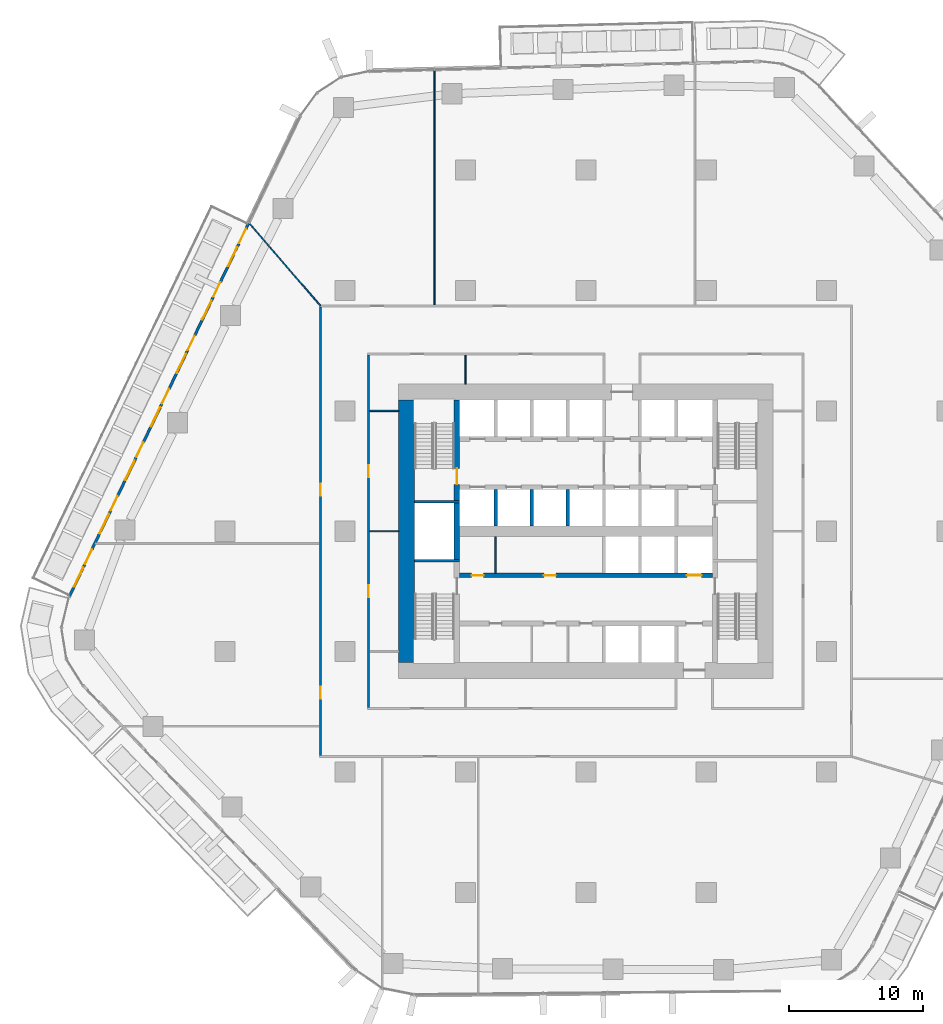
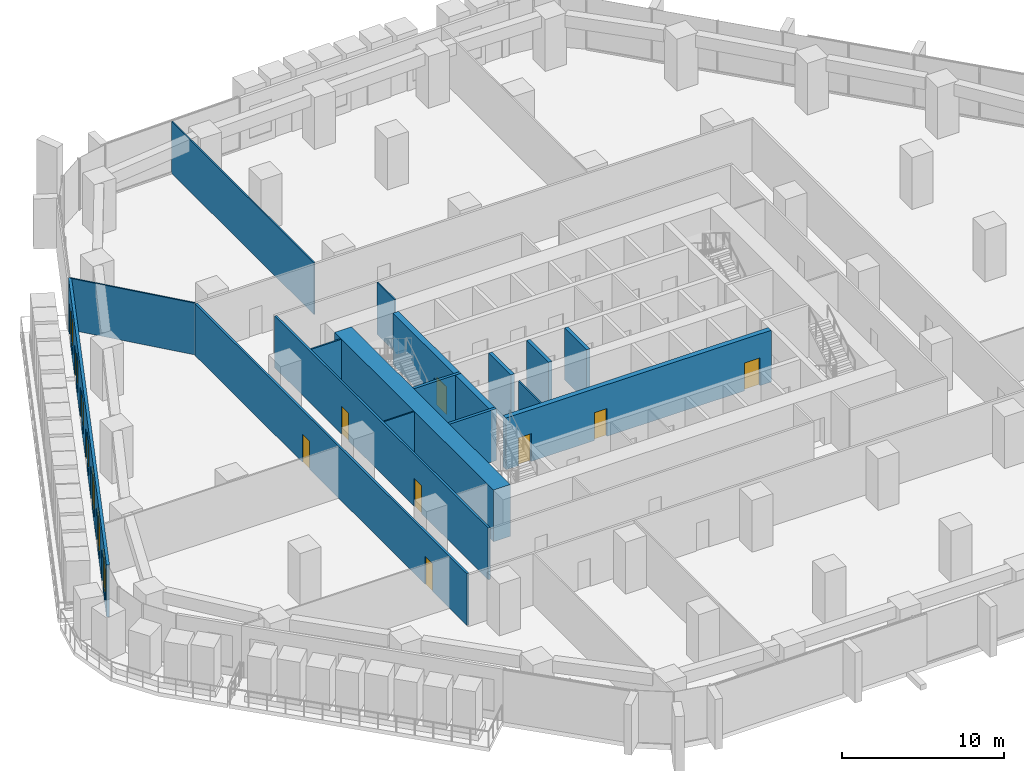
# One storey, part 13 of 23: 18 walls, 15 doors, 7 windows, 22 openings.
"""IFC4 building model written with IfcOpenShell, lengths in metres."""

from ifc_helpers import new_model, si_unit, direction, frame, frame_2d, origin, place, context, subcontext, project, spatial, rectangle, extrude, material, layer, layer_set, type_object, element, fill, save


model = new_model("IFC4")

# Units and contexts
model_context = context("Model", 3, precision=1e-05, world=origin(), true_north=direction((0.0, 1.0)))
body_context = subcontext(model_context, "Body", "Model", "MODEL_VIEW")
ifc_project = project(units=[si_unit("LENGTHUNIT", "METRE"), si_unit("AREAUNIT", "SQUARE_METRE"), si_unit("VOLUMEUNIT", "CUBIC_METRE"), si_unit("PLANEANGLEUNIT", "RADIAN"), si_unit("MASSUNIT", "GRAM", prefix="KILO")], contexts=[model_context])

# Site, building, storey
site_placement = place(None, origin())
site = spatial("IfcSite", under=ifc_project, at=site_placement, CompositionType="ELEMENT")
building_placement = place(site_placement, origin())
building = spatial("IfcBuilding", under=site, at=building_placement, Name="Dongbaek Canopy Tower", CompositionType="ELEMENT")
storey_placement = place(building_placement, frame((0.0, 0.0, 84.699951171875)))
storey = spatial("IfcBuildingStorey", under=building, at=storey_placement, Name="L17", CompositionType="ELEMENT", Elevation=84.699951171875)

# Wall, openings, doors
ifc_material_1 = material(Name="Concrete C60/75", Category="concrete")
ifc_layer_1 = layer(ifc_material_1, 0.35009765625)
ifc_layer_set_1 = layer_set([ifc_layer_1], Name="Core lobby wall 350 Concrete C60/75")
wall_type_1 = type_object("IfcWallType", Name="Core lobby wall 350 Concrete C60/75", PredefinedType="SHEAR", material=ifc_layer_set_1)
wall_1_placement = place(storey_placement, frame((-9.449951171875, -3.300048828125, 0.0), z_axis=(0.0, 0.0, 1.0), x_axis=(1.0, 0.0, 0.0)))
wall_1 = element("IfcWall", 1, at=wall_1_placement, inside=storey, type_object=wall_type_1, Name="Core wall", PredefinedType="SHEAR", context=body_context, shape_type="SweptSolid", body=[
    extrude(rectangle(XDim=18.89990234375, YDim=0.35009765625, at=frame_2d((9.449951171875, 0.0))), origin(), (0.0, 0.0, 1.0), 3.900146484375),
])
opening_1_placement = place(wall_1_placement, frame((17.0, 0.0, 0.0)))
opening_1 = element("IfcOpeningElement", 2, at=opening_1_placement, cuts=wall_1, Name="Opening L17-D034", PredefinedType="OPENING", context=body_context, shape_type="SweptSolid", body=[
    extrude(rectangle(XDim=1.10009765625, YDim=2.10009765625, at=frame_2d((0.550048828125, 1.050048828125))), frame((0.0, 0.18505859375, 0.0), z_axis=(0.0, -1.0, 0.0), x_axis=(1.0, 0.0, 0.0)), (0.0, 0.0, 1.0), 0.3701171875),
])
opening_2_placement = place(wall_1_placement, frame((0.89990234375, 0.0, 0.0)))
opening_2 = element("IfcOpeningElement", 3, at=opening_2_placement, cuts=wall_1, Name="Opening L17-D037", PredefinedType="OPENING", context=body_context, shape_type="SweptSolid", body=[
    extrude(rectangle(XDim=0.89990234375, YDim=2.10009765625, at=frame_2d((0.449951171875, 1.050048828125))), frame((0.0, 0.18505859375, 0.0), z_axis=(0.0, -1.0, 0.0), x_axis=(1.0, 0.0, 0.0)), (0.0, 0.0, 1.0), 0.3701171875),
])
opening_3_placement = place(wall_1_placement, frame((6.300048828125, 0.0, 0.0)))
opening_3 = element("IfcOpeningElement", 4, at=opening_3_placement, cuts=wall_1, Name="Opening L17-D038", PredefinedType="OPENING", context=body_context, shape_type="SweptSolid", body=[
    extrude(rectangle(XDim=0.89990234375, YDim=2.10009765625, at=frame_2d((0.449951171875, 1.050048828125))), frame((0.0, 0.18505859375, 0.0), z_axis=(0.0, -1.0, 0.0), x_axis=(1.0, 0.0, 0.0)), (0.0, 0.0, 1.0), 0.3701171875),
])
ifc_material_2 = material(Name="Steel", Category="steel")
door_type_1 = type_object("IfcDoorType", Name="Core room door 900 x 2100", OperationType="SINGLE_SWING_LEFT", PredefinedType="DOOR", material=ifc_material_2)
door_1_placement = place(opening_2_placement, origin())
door_1 = element("IfcDoor", 5, at=door_1_placement, inside=storey, type_object=door_type_1, Name="Door L17-D037", OperationType="SINGLE_SWING_RIGHT", OverallHeight=2.10009765625, OverallWidth=0.89990234375, PredefinedType="DOOR", context=body_context, shape_type="SweptSolid", body=[
    extrude(rectangle(XDim=0.89990234375, YDim=2.10009765625, at=frame_2d((0.449951171875, 1.050048828125))), frame((0.0, 0.02490234375, 0.0), z_axis=(0.0, -1.0, 0.0), x_axis=(1.0, 0.0, 0.0)), (0.0, 0.0, 1.0), 0.050048828125),
])
fill(opening_2, door_1)
door_2_placement = place(opening_3_placement, origin())
door_2 = element("IfcDoor", 6, at=door_2_placement, inside=storey, type_object=door_type_1, Name="Door L17-D038", OperationType="SINGLE_SWING_LEFT", OverallHeight=2.10009765625, OverallWidth=0.89990234375, PredefinedType="DOOR", context=body_context, shape_type="SweptSolid", body=[
    extrude(rectangle(XDim=0.89990234375, YDim=2.10009765625, at=frame_2d((0.449951171875, 1.050048828125))), frame((0.0, 0.02490234375, 0.0), z_axis=(0.0, -1.0, 0.0), x_axis=(1.0, 0.0, 0.0)), (0.0, 0.0, 1.0), 0.050048828125),
])
fill(opening_3, door_2)
ifc_material_3 = material(Name="Stainless steel", Category="steel")
door_type_2 = type_object("IfcDoorType", Name="Lift landing door 1100 x 2100", OperationType="DOUBLE_DOOR_SLIDING", PredefinedType="DOOR", material=ifc_material_3)
door_3_placement = place(opening_1_placement, origin())
door_3 = element("IfcDoor", 7, at=door_3_placement, inside=storey, type_object=door_type_2, Name="Landing door SV2", OperationType="DOUBLE_DOOR_SLIDING", OverallHeight=2.10009765625, OverallWidth=1.10009765625, PredefinedType="DOOR", context=body_context, shape_type="SweptSolid", body=[
    extrude(rectangle(XDim=1.10009765625, YDim=2.10009765625, at=frame_2d((0.550048828125, 1.050048828125))), frame((0.0, 0.02490234375, 0.0), z_axis=(0.0, -1.0, 0.0), x_axis=(1.0, 0.0, 0.0)), (0.0, 0.0, 1.0), 0.050048828125),
])
fill(opening_1, door_3)

# Wall
ifc_material_4 = material(Name="Concrete C60/75", Category="concrete")
ifc_layer_2 = layer(ifc_material_4, 1.199951171875)
ifc_layer_set_2 = layer_set([ifc_layer_2], Name="Core outer wall 1200 Concrete C60/75")
wall_type_2 = type_object("IfcWallType", Name="Core outer wall 1200 Concrete C60/75", PredefinedType="SHEAR", material=ifc_layer_set_2)
wall_2_placement = place(storey_placement, frame((-13.39990234375, -9.800048828125, 0.0), z_axis=(0.0, 0.0, 1.0), x_axis=(0.0, 1.0, 0.0)))
element("IfcWall", 8, at=wall_2_placement, inside=storey, type_object=wall_type_2, Name="Core wall", PredefinedType="SHEAR", context=body_context, shape_type="SweptSolid", body=[
    extrude(rectangle(XDim=19.60009765625, YDim=1.199951171875, at=frame_2d((9.800048828125, 0.0))), origin(), (0.0, 0.0, 1.0), 3.900146484375),
])

# Wall, openings, doors
ifc_material_5 = material(Name="Gypsum board partition, steel stud, 2 x 15 mm fire board", Category="steel")
ifc_layer_3 = layer(ifc_material_5, 0.14990234375)
ifc_layer_set_3 = layer_set([ifc_layer_3], Name="Fire-rated partition 150 gypsum board")
wall_type_3 = type_object("IfcWallType", Name="Fire-rated partition 150 gypsum board", PredefinedType="PARTITIONING", material=ifc_layer_set_3)
wall_3_placement = place(storey_placement, frame((-16.25, 13.175048828125, 0.0), z_axis=(0.0, 0.0, 1.0), x_axis=(0.0, -1.0, 0.0)))
wall_3 = element("IfcWall", 9, at=wall_3_placement, inside=storey, type_object=wall_type_3, Name="Corridor partition", PredefinedType="PARTITIONING", context=body_context, shape_type="SweptSolid", body=[
    extrude(rectangle(XDim=26.35009765625, YDim=0.14990234375, at=frame_2d((13.175048828125, 0.0))), origin(), (0.0, 0.0, 1.0), 3.900146484375),
])
opening_4_placement = place(wall_3_placement, frame((17.22509765625, 0.0, 0.0)))
opening_4 = element("IfcOpeningElement", 10, at=opening_4_placement, cuts=wall_3, Name="Opening L17-D009", PredefinedType="OPENING", context=body_context, shape_type="SweptSolid", body=[
    extrude(rectangle(XDim=0.89990234375, YDim=2.10009765625, at=frame_2d((0.449951171875, 1.050048828125))), frame((0.0, 0.0849609375, 0.0), z_axis=(0.0, -1.0, 0.0), x_axis=(1.0, 0.0, 0.0)), (0.0, 0.0, 1.0), 0.169921875),
])
opening_5_placement = place(wall_3_placement, frame((8.22509765625, 0.0, 0.0)))
opening_5 = element("IfcOpeningElement", 11, at=opening_5_placement, cuts=wall_3, Name="Opening L17-D017", PredefinedType="OPENING", context=body_context, shape_type="SweptSolid", body=[
    extrude(rectangle(XDim=0.89990234375, YDim=2.10009765625, at=frame_2d((0.449951171875, 1.050048828125))), frame((0.0, 0.0849609375, 0.0), z_axis=(0.0, -1.0, 0.0), x_axis=(1.0, 0.0, 0.0)), (0.0, 0.0, 1.0), 0.169921875),
])
ifc_material_6 = material(Name="Timber veneered door leaf", Category="wood")
door_type_3 = type_object("IfcDoorType", Name="Room door 900 x 2100", OperationType="SINGLE_SWING_LEFT", PredefinedType="DOOR", material=ifc_material_6)
door_4_placement = place(opening_4_placement, origin())
door_4 = element("IfcDoor", 12, at=door_4_placement, inside=storey, type_object=door_type_3, Name="Door L17-D009", OperationType="SINGLE_SWING_LEFT", OverallHeight=2.10009765625, OverallWidth=0.89990234375, PredefinedType="DOOR", context=body_context, shape_type="SweptSolid", body=[
    extrude(rectangle(XDim=0.89990234375, YDim=2.10009765625, at=frame_2d((0.449951171875, 1.050048828125))), frame((0.0, 0.02490234375, 0.0), z_axis=(0.0, -1.0, 0.0), x_axis=(1.0, 0.0, 0.0)), (0.0, 0.0, 1.0), 0.050048828125),
])
fill(opening_4, door_4)
door_5_placement = place(opening_5_placement, origin())
door_5 = element("IfcDoor", 13, at=door_5_placement, inside=storey, type_object=door_type_3, Name="Door L17-D017", OperationType="SINGLE_SWING_LEFT", OverallHeight=2.10009765625, OverallWidth=0.89990234375, PredefinedType="DOOR", context=body_context, shape_type="SweptSolid", body=[
    extrude(rectangle(XDim=0.89990234375, YDim=2.10009765625, at=frame_2d((0.449951171875, 1.050048828125))), frame((0.0, 0.02490234375, 0.0), z_axis=(0.0, -1.0, 0.0), x_axis=(1.0, 0.0, 0.0)), (0.0, 0.0, 1.0), 0.050048828125),
])
fill(opening_5, door_5)

wall_4_placement = place(storey_placement, frame((-19.85009765625, -16.77490234375, 0.0), z_axis=(0.0, 0.0, 1.0), x_axis=(0.0, 1.0, 0.0)))
wall_4 = element("IfcWall", 14, at=wall_4_placement, inside=storey, type_object=wall_type_3, Name="Corridor partition", PredefinedType="PARTITIONING", context=body_context, shape_type="SweptSolid", body=[
    extrude(rectangle(XDim=33.5498046875, YDim=0.14990234375, at=frame_2d((16.77490234375, 0.0))), origin(), (0.0, 0.0, 1.0), 3.900146484375),
])
opening_6_placement = place(wall_4_placement, frame((4.231689453125, 0.0, 0.0)))
opening_6 = element("IfcOpeningElement", 15, at=opening_6_placement, cuts=wall_4, Name="Opening L17-D001", PredefinedType="OPENING", context=body_context, shape_type="SweptSolid", body=[
    extrude(rectangle(XDim=0.89990234375, YDim=2.10009765625, at=frame_2d((0.449951171875, 1.050048828125))), frame((0.0, 0.0849609375, 0.0), z_axis=(0.0, -1.0, 0.0), x_axis=(1.0, 0.0, 0.0)), (0.0, 0.0, 1.0), 0.169921875),
])
opening_7_placement = place(wall_4_placement, frame((19.4130859375, 0.0, 0.0)))
opening_7 = element("IfcOpeningElement", 16, at=opening_7_placement, cuts=wall_4, Name="Opening L17-D008", PredefinedType="OPENING", context=body_context, shape_type="SweptSolid", body=[
    extrude(rectangle(XDim=0.89990234375, YDim=2.10009765625, at=frame_2d((0.449951171875, 1.050048828125))), frame((0.0, 0.0849609375, 0.0), z_axis=(0.0, -1.0, 0.0), x_axis=(1.0, 0.0, 0.0)), (0.0, 0.0, 1.0), 0.169921875),
])
door_6_placement = place(opening_6_placement, origin())
door_6 = element("IfcDoor", 17, at=door_6_placement, inside=storey, type_object=door_type_3, Name="Door L17-D001", OperationType="SINGLE_SWING_RIGHT", OverallHeight=2.10009765625, OverallWidth=0.89990234375, PredefinedType="DOOR", context=body_context, shape_type="SweptSolid", body=[
    extrude(rectangle(XDim=0.89990234375, YDim=2.10009765625, at=frame_2d((0.449951171875, 1.050048828125))), frame((0.0, 0.02490234375, 0.0), z_axis=(0.0, -1.0, 0.0), x_axis=(1.0, 0.0, 0.0)), (0.0, 0.0, 1.0), 0.050048828125),
])
fill(opening_6, door_6)
door_7_placement = place(opening_7_placement, origin())
door_7 = element("IfcDoor", 18, at=door_7_placement, inside=storey, type_object=door_type_3, Name="Door L17-D008", OperationType="SINGLE_SWING_RIGHT", OverallHeight=2.10009765625, OverallWidth=0.89990234375, PredefinedType="DOOR", context=body_context, shape_type="SweptSolid", body=[
    extrude(rectangle(XDim=0.89990234375, YDim=2.10009765625, at=frame_2d((0.449951171875, 1.050048828125))), frame((0.0, 0.02490234375, 0.0), z_axis=(0.0, -1.0, 0.0), x_axis=(1.0, 0.0, 0.0)), (0.0, 0.0, 1.0), 0.050048828125),
])
fill(opening_7, door_7)

# Walls
ifc_material_7 = material(Name="Concrete C40/50", Category="concrete")
ifc_layer_4 = layer(ifc_material_7, 0.25)
ifc_layer_set_4 = layer_set([ifc_layer_4], Name="Lift shaft wall 250 Concrete C40/50")
wall_type_4 = type_object("IfcWallType", Name="Lift shaft wall 250 Concrete C40/50", PredefinedType="SOLIDWALL", material=ifc_layer_set_4)
for number, where, z_axis, x_axis, name in (
    (19, (-1.35009765625, 0.39990234375, 0.0), (0.0, 0.0, 1.0), (0.0, 1.0, 0.0), "Lift shaft wall"),
    (20, (-4.050048828125, 0.39990234375, 0.0), (0.0, 0.0, 1.0), (0.0, 1.0, 0.0), "Lift shaft wall"),
    (21, (-6.75, 0.39990234375, 0.0), (0.0, 0.0, 1.0), (0.0, 1.0, 0.0), "Lift shaft wall"),
):
    element("IfcWall", number, at=place(storey_placement, frame(where, z_axis=z_axis, x_axis=x_axis)), inside=storey, type_object=wall_type_4, Name=name, PredefinedType="SOLIDWALL", context=body_context, shape_type="SweptSolid", body=[
        extrude(rectangle(XDim=2.72509765625, YDim=0.25, at=frame_2d((1.362548828125, 0.0))), origin(), (0.0, 0.0, 1.0), 3.900146484375),
    ])
ifc_material_8 = material(Name="Gypsum board partition, steel stud, 2 x 12.5 mm board", Category="steel")
ifc_layer_5 = layer(ifc_material_8, 0.10009765625)
ifc_layer_set_5 = layer_set([ifc_layer_5], Name="Partition 100 gypsum board")
wall_type_5 = type_object("IfcWallType", Name="Partition 100 gypsum board", PredefinedType="PARTITIONING", material=ifc_layer_set_5)
for number, where, z_axis, x_axis, name in (
    (22, (-16.175048828125, 0.0, 0.0), (0.0, 0.0, 1.0), (1.0, 0.0, 0.0), "Partition"),
    (23, (-16.175048828125, 9.0, 0.0), (0.0, 0.0, 1.0), (1.0, 0.0, 0.0), "Partition"),
    (24, (-9.0, 11.0, 0.0), (0.0, 0.0, 1.0), (0.0, 1.0, 0.0), "Partition"),
):
    element("IfcWall", number, at=place(storey_placement, frame(where, z_axis=z_axis, x_axis=x_axis)), inside=storey, type_object=wall_type_5, Name=name, PredefinedType="PARTITIONING", context=body_context, shape_type="SweptSolid", body=[
        extrude(rectangle(XDim=2.175048828125, YDim=0.10009765625, at=frame_2d((1.08740234375, 0.0))), origin(), (0.0, 0.0, 1.0), 3.900146484375),
    ])
wall_5_placement = place(storey_placement, frame((-11.324951171875, 16.925048828125, 0.0), z_axis=(0.0, 0.0, 1.0), x_axis=(0.0, 1.0, 0.0)))
element("IfcWall", 25, at=wall_5_placement, inside=storey, type_object=wall_type_5, Name="Partition", PredefinedType="PARTITIONING", context=body_context, shape_type="SweptSolid", body=[
    extrude(rectangle(XDim=17.574951171875, YDim=0.10009765625, at=frame_2d((8.78759765625, 0.0))), origin(), (0.0, 0.0, 1.0), 3.900146484375),
])
wall_6_placement = place(storey_placement, frame((-25.18896484375, 23.045654296875, 0.0), z_axis=(0.0, 0.0, 1.0), x_axis=(0.652758316805, -0.757566221424, 0.0)))
element("IfcWall", 26, at=wall_6_placement, inside=storey, type_object=wall_type_5, Name="Partition", PredefinedType="PARTITIONING", context=body_context, shape_type="SweptSolid", body=[
    extrude(rectangle(XDim=8.178466796875, YDim=0.10009765625, at=frame_2d((4.08935546875, 0.0))), origin(), (0.0, 0.0, 1.0), 3.900146484375),
])
wall_7_placement = place(storey_placement, frame((-6.75, -3.125, 0.0), z_axis=(0.0, 0.0, 1.0), x_axis=(0.0, 1.0, 0.0)))
element("IfcWall", 27, at=wall_7_placement, inside=storey, type_object=wall_type_5, Name="Core partition", PredefinedType="PARTITIONING", context=body_context, shape_type="SweptSolid", body=[
    extrude(rectangle(XDim=2.72509765625, YDim=0.10009765625, at=frame_2d((1.362548828125, 0.0))), origin(), (0.0, 0.0, 1.0), 3.900146484375),
])
ifc_material_9 = material(Name="Concrete C60/75", Category="concrete")
ifc_layer_6 = layer(ifc_material_9, 0.199951171875)
ifc_layer_set_6 = layer_set([ifc_layer_6], Name="Riser wall 200 Concrete C60/75")
wall_type_6 = type_object("IfcWallType", Name="Riser wall 200 Concrete C60/75", PredefinedType="SHEAR", material=ifc_layer_set_6)
for number, where, z_axis, x_axis, name in (
    (28, (-9.449951171875, 2.199951171875, 0.0), (0.0, 0.0, 1.0), (-1.0, 0.0, 0.0), "Riser wall"),
    (29, (-9.449951171875, -2.199951171875, 0.0), (0.0, 0.0, 1.0), (-1.0, 0.0, 0.0), "Riser wall"),
):
    element("IfcWall", number, at=place(storey_placement, frame(where, z_axis=z_axis, x_axis=x_axis)), inside=storey, type_object=wall_type_6, Name=name, PredefinedType="SHEAR", context=body_context, shape_type="SweptSolid", body=[
        extrude(rectangle(XDim=3.35009765625, YDim=0.199951171875, at=frame_2d((1.675048828125, 0.0))), origin(), (0.0, 0.0, 1.0), 3.900146484375),
    ])
ifc_material_10 = material(Name="Concrete C60/75", Category="concrete")
ifc_layer_7 = layer(ifc_material_10, 0.39990234375)
ifc_layer_set_7 = layer_set([ifc_layer_7], Name="Stair wall 400 Concrete C60/75")
wall_type_7 = type_object("IfcWallType", Name="Stair wall 400 Concrete C60/75", PredefinedType="SHEAR", material=ifc_layer_set_7)
wall_8_placement = place(storey_placement, frame((-9.64990234375, -2.10009765625, 0.0), z_axis=(0.0, 0.0, 1.0), x_axis=(0.0, 1.0, 0.0)))
element("IfcWall", 30, at=wall_8_placement, inside=storey, type_object=wall_type_7, Name="Stair wall", PredefinedType="SHEAR", context=body_context, shape_type="SweptSolid", body=[
    extrude(rectangle(XDim=4.2001953125, YDim=0.39990234375, at=frame_2d((2.10009765625, 0.0))), origin(), (0.0, 0.0, 1.0), 3.900146484375),
])

# Wall, opening, door
wall_9_placement = place(storey_placement, frame((-9.64990234375, 2.300048828125, 0.0), z_axis=(0.0, 0.0, 1.0), x_axis=(0.0, 1.0, 0.0)))
wall_9 = element("IfcWall", 31, at=wall_9_placement, inside=storey, type_object=wall_type_7, Name="Stair wall", PredefinedType="SHEAR", context=body_context, shape_type="SweptSolid", body=[
    extrude(rectangle(XDim=7.5, YDim=0.39990234375, at=frame_2d((3.75, 0.0))), origin(), (0.0, 0.0, 1.0), 3.900146484375),
])
opening_8_placement = place(wall_9_placement, frame((1.199951171875, 0.0, 0.0)))
opening_8 = element("IfcOpeningElement", 32, at=opening_8_placement, cuts=wall_9, Name="Opening L17-D043", PredefinedType="OPENING", context=body_context, shape_type="SweptSolid", body=[
    extrude(rectangle(XDim=1.199951171875, YDim=2.10009765625, at=frame_2d((0.60009765625, 1.050048828125))), frame((0.0, 0.2099609375, 0.0), z_axis=(0.0, -1.0, 0.0), x_axis=(1.0, 0.0, 0.0)), (0.0, 0.0, 1.0), 0.419921875),
])
ifc_material_11 = material(Name="Steel", Category="steel")
door_type_4 = type_object("IfcDoorType", Name="Stair door 1200 x 2100", OperationType="SINGLE_SWING_LEFT", PredefinedType="DOOR", material=ifc_material_11)
door_8_placement = place(opening_8_placement, origin())
door_8 = element("IfcDoor", 33, at=door_8_placement, inside=storey, type_object=door_type_4, Name="Stair C door", OperationType="SINGLE_SWING_RIGHT", OverallHeight=2.10009765625, OverallWidth=1.199951171875, PredefinedType="DOOR", context=body_context, shape_type="SweptSolid", body=[
    extrude(rectangle(XDim=1.199951171875, YDim=2.10009765625, at=frame_2d((0.60009765625, 1.050048828125))), frame((0.0, 0.02490234375, 0.0), z_axis=(0.0, -1.0, 0.0), x_axis=(1.0, 0.0, 0.0)), (0.0, 0.0, 1.0), 0.050048828125),
])
fill(opening_8, door_8)

# Wall, openings, doors, windows
ifc_material_12 = material(Name="Aluminium window wall", Category="aluminium")
ifc_layer_8 = layer(ifc_material_12, 0.199951171875)
ifc_layer_set_8 = layer_set([ifc_layer_8], Name="Window wall 200")
wall_type_8 = type_object("IfcWallType", Name="Window wall 200", PredefinedType="SOLIDWALL", material=ifc_layer_set_8)
wall_10_placement = place(storey_placement, frame((-25.203125, 23.062255859375, 0.0), z_axis=(0.0, 0.0, 1.0), x_axis=(-0.4330751292, -0.901357827097, 0.0)))
wall_10 = element("IfcWall", 34, at=wall_10_placement, inside=storey, type_object=wall_type_8, Name="Window wall L17 2", PredefinedType="SOLIDWALL", context=body_context, shape_type="SweptSolid", body=[
    extrude(rectangle(XDim=31.024169921875, YDim=0.199951171875, at=frame_2d((15.51220703125, 0.0))), origin(), (0.0, 0.0, 1.0), 3.900146484375),
])
opening_9_placement = place(wall_10_placement, frame((2.0, 0.0, 0.60009765625)))
opening_9 = element("IfcOpeningElement", 35, at=opening_9_placement, cuts=wall_10, Name="Opening W1", PredefinedType="OPENING", context=body_context, shape_type="SweptSolid", body=[
    extrude(rectangle(XDim=1.60009765625, YDim=2.39990234375, at=frame_2d((0.800048828125, 1.199951171875))), frame((0.0, 0.10986328125, 0.0), z_axis=(0.0, -1.0, 0.0), x_axis=(1.0, 0.0, 0.0)), (0.0, 0.0, 1.0), 0.219970703125),
])
opening_10_placement = place(wall_10_placement, frame((0.5, 0.0, 0.0)))
opening_10 = element("IfcOpeningElement", 36, at=opening_10_placement, cuts=wall_10, Name="Opening L17-B05", PredefinedType="OPENING", context=body_context, shape_type="SweptSolid", body=[
    extrude(rectangle(XDim=1.199951171875, YDim=2.39990234375, at=frame_2d((0.60009765625, 1.199951171875))), frame((0.0, 0.10986328125, 0.0), z_axis=(0.0, -1.0, 0.0), x_axis=(1.0, 0.0, 0.0)), (0.0, 0.0, 1.0), 0.219970703125),
])
opening_11_placement = place(wall_10_placement, frame((6.43212890625, 0.0, 0.60009765625)))
opening_11 = element("IfcOpeningElement", 37, at=opening_11_placement, cuts=wall_10, Name="Opening W1", PredefinedType="OPENING", context=body_context, shape_type="SweptSolid", body=[
    extrude(rectangle(XDim=1.60009765625, YDim=2.39990234375, at=frame_2d((0.800048828125, 1.199951171875))), frame((0.0, 0.10986328125, 0.0), z_axis=(0.0, -1.0, 0.0), x_axis=(1.0, 0.0, 0.0)), (0.0, 0.0, 1.0), 0.219970703125),
])
opening_12_placement = place(wall_10_placement, frame((4.93212890625, 0.0, 0.0)))
opening_12 = element("IfcOpeningElement", 38, at=opening_12_placement, cuts=wall_10, Name="Opening L17-B06", PredefinedType="OPENING", context=body_context, shape_type="SweptSolid", body=[
    extrude(rectangle(XDim=1.199951171875, YDim=2.39990234375, at=frame_2d((0.60009765625, 1.199951171875))), frame((0.0, 0.10986328125, 0.0), z_axis=(0.0, -1.0, 0.0), x_axis=(1.0, 0.0, 0.0)), (0.0, 0.0, 1.0), 0.219970703125),
])
opening_13_placement = place(wall_10_placement, frame((10.864013671875, 0.0, 0.60009765625)))
opening_13 = element("IfcOpeningElement", 39, at=opening_13_placement, cuts=wall_10, Name="Opening W1", PredefinedType="OPENING", context=body_context, shape_type="SweptSolid", body=[
    extrude(rectangle(XDim=1.60009765625, YDim=2.39990234375, at=frame_2d((0.800048828125, 1.199951171875))), frame((0.0, 0.10986328125, 0.0), z_axis=(0.0, -1.0, 0.0), x_axis=(1.0, 0.0, 0.0)), (0.0, 0.0, 1.0), 0.219970703125),
])
opening_14_placement = place(wall_10_placement, frame((9.364013671875, 0.0, 0.0)))
opening_14 = element("IfcOpeningElement", 40, at=opening_14_placement, cuts=wall_10, Name="Opening L17-B07", PredefinedType="OPENING", context=body_context, shape_type="SweptSolid", body=[
    extrude(rectangle(XDim=1.199951171875, YDim=2.39990234375, at=frame_2d((0.60009765625, 1.199951171875))), frame((0.0, 0.10986328125, 0.0), z_axis=(0.0, -1.0, 0.0), x_axis=(1.0, 0.0, 0.0)), (0.0, 0.0, 1.0), 0.219970703125),
])
opening_15_placement = place(wall_10_placement, frame((15.296142578125, 0.0, 0.60009765625)))
opening_15 = element("IfcOpeningElement", 41, at=opening_15_placement, cuts=wall_10, Name="Opening W1", PredefinedType="OPENING", context=body_context, shape_type="SweptSolid", body=[
    extrude(rectangle(XDim=1.60009765625, YDim=2.39990234375, at=frame_2d((0.800048828125, 1.199951171875))), frame((0.0, 0.10986328125, 0.0), z_axis=(0.0, -1.0, 0.0), x_axis=(1.0, 0.0, 0.0)), (0.0, 0.0, 1.0), 0.219970703125),
])
opening_16_placement = place(wall_10_placement, frame((13.796142578125, 0.0, 0.0)))
opening_16 = element("IfcOpeningElement", 42, at=opening_16_placement, cuts=wall_10, Name="Opening L17-B08", PredefinedType="OPENING", context=body_context, shape_type="SweptSolid", body=[
    extrude(rectangle(XDim=1.199951171875, YDim=2.39990234375, at=frame_2d((0.60009765625, 1.199951171875))), frame((0.0, 0.10986328125, 0.0), z_axis=(0.0, -1.0, 0.0), x_axis=(1.0, 0.0, 0.0)), (0.0, 0.0, 1.0), 0.219970703125),
])
opening_17_placement = place(wall_10_placement, frame((19.728271484375, 0.0, 0.60009765625)))
opening_17 = element("IfcOpeningElement", 43, at=opening_17_placement, cuts=wall_10, Name="Opening W1", PredefinedType="OPENING", context=body_context, shape_type="SweptSolid", body=[
    extrude(rectangle(XDim=1.60009765625, YDim=2.39990234375, at=frame_2d((0.800048828125, 1.199951171875))), frame((0.0, 0.10986328125, 0.0), z_axis=(0.0, -1.0, 0.0), x_axis=(1.0, 0.0, 0.0)), (0.0, 0.0, 1.0), 0.219970703125),
])
opening_18_placement = place(wall_10_placement, frame((18.228271484375, 0.0, 0.0)))
opening_18 = element("IfcOpeningElement", 44, at=opening_18_placement, cuts=wall_10, Name="Opening L17-B09", PredefinedType="OPENING", context=body_context, shape_type="SweptSolid", body=[
    extrude(rectangle(XDim=1.199951171875, YDim=2.39990234375, at=frame_2d((0.60009765625, 1.199951171875))), frame((0.0, 0.10986328125, 0.0), z_axis=(0.0, -1.0, 0.0), x_axis=(1.0, 0.0, 0.0)), (0.0, 0.0, 1.0), 0.219970703125),
])
opening_19_placement = place(wall_10_placement, frame((24.16015625, 0.0, 0.60009765625)))
opening_19 = element("IfcOpeningElement", 45, at=opening_19_placement, cuts=wall_10, Name="Opening W1", PredefinedType="OPENING", context=body_context, shape_type="SweptSolid", body=[
    extrude(rectangle(XDim=1.60009765625, YDim=2.39990234375, at=frame_2d((0.800048828125, 1.199951171875))), frame((0.0, 0.10986328125, 0.0), z_axis=(0.0, -1.0, 0.0), x_axis=(1.0, 0.0, 0.0)), (0.0, 0.0, 1.0), 0.219970703125),
])
opening_20_placement = place(wall_10_placement, frame((22.66015625, 0.0, 0.0)))
opening_20 = element("IfcOpeningElement", 46, at=opening_20_placement, cuts=wall_10, Name="Opening L17-B10", PredefinedType="OPENING", context=body_context, shape_type="SweptSolid", body=[
    extrude(rectangle(XDim=1.199951171875, YDim=2.39990234375, at=frame_2d((0.60009765625, 1.199951171875))), frame((0.0, 0.10986328125, 0.0), z_axis=(0.0, -1.0, 0.0), x_axis=(1.0, 0.0, 0.0)), (0.0, 0.0, 1.0), 0.219970703125),
])
opening_21_placement = place(wall_10_placement, frame((28.59228515625, 0.0, 0.60009765625)))
opening_21 = element("IfcOpeningElement", 47, at=opening_21_placement, cuts=wall_10, Name="Opening W1", PredefinedType="OPENING", context=body_context, shape_type="SweptSolid", body=[
    extrude(rectangle(XDim=1.60009765625, YDim=2.39990234375, at=frame_2d((0.800048828125, 1.199951171875))), frame((0.0, 0.10986328125, 0.0), z_axis=(0.0, -1.0, 0.0), x_axis=(1.0, 0.0, 0.0)), (0.0, 0.0, 1.0), 0.219970703125),
])
opening_22_placement = place(wall_10_placement, frame((27.09228515625, 0.0, 0.0)))
opening_22 = element("IfcOpeningElement", 48, at=opening_22_placement, cuts=wall_10, Name="Opening L17-B11", PredefinedType="OPENING", context=body_context, shape_type="SweptSolid", body=[
    extrude(rectangle(XDim=1.199951171875, YDim=2.39990234375, at=frame_2d((0.60009765625, 1.199951171875))), frame((0.0, 0.10986328125, 0.0), z_axis=(0.0, -1.0, 0.0), x_axis=(1.0, 0.0, 0.0)), (0.0, 0.0, 1.0), 0.219970703125),
])
ifc_material_13 = material(Name="Clear glazing in aluminium frame", Category="aluminium")
door_type_5 = type_object("IfcDoorType", Name="Balcony door BD1 1200 x 2400", OperationType="SLIDING_TO_LEFT", PredefinedType="DOOR", material=ifc_material_13)
door_9_placement = place(opening_10_placement, origin())
door_9 = element("IfcDoor", 49, at=door_9_placement, inside=storey, type_object=door_type_5, Name="Balcony door L17-B05", OperationType="SLIDING_TO_LEFT", OverallHeight=2.39990234375, OverallWidth=1.199951171875, PredefinedType="DOOR", context=body_context, shape_type="SweptSolid", body=[
    extrude(rectangle(XDim=1.199951171875, YDim=2.39990234375, at=frame_2d((0.60009765625, 1.199951171875))), frame((0.0, 0.02490234375, 0.0), z_axis=(0.0, -1.0, 0.0), x_axis=(1.0, 0.0, 0.0)), (0.0, 0.0, 1.0), 0.050048828125),
])
fill(opening_10, door_9)
door_10_placement = place(opening_12_placement, origin())
door_10 = element("IfcDoor", 50, at=door_10_placement, inside=storey, type_object=door_type_5, Name="Balcony door L17-B06", OperationType="SLIDING_TO_LEFT", OverallHeight=2.39990234375, OverallWidth=1.199951171875, PredefinedType="DOOR", context=body_context, shape_type="SweptSolid", body=[
    extrude(rectangle(XDim=1.199951171875, YDim=2.39990234375, at=frame_2d((0.60009765625, 1.199951171875))), frame((0.0, 0.02490234375, 0.0), z_axis=(0.0, -1.0, 0.0), x_axis=(1.0, 0.0, 0.0)), (0.0, 0.0, 1.0), 0.050048828125),
])
fill(opening_12, door_10)
door_11_placement = place(opening_14_placement, origin())
door_11 = element("IfcDoor", 51, at=door_11_placement, inside=storey, type_object=door_type_5, Name="Balcony door L17-B07", OperationType="SLIDING_TO_LEFT", OverallHeight=2.39990234375, OverallWidth=1.199951171875, PredefinedType="DOOR", context=body_context, shape_type="SweptSolid", body=[
    extrude(rectangle(XDim=1.199951171875, YDim=2.39990234375, at=frame_2d((0.60009765625, 1.199951171875))), frame((0.0, 0.02490234375, 0.0), z_axis=(0.0, -1.0, 0.0), x_axis=(1.0, 0.0, 0.0)), (0.0, 0.0, 1.0), 0.050048828125),
])
fill(opening_14, door_11)
door_12_placement = place(opening_16_placement, origin())
door_12 = element("IfcDoor", 52, at=door_12_placement, inside=storey, type_object=door_type_5, Name="Balcony door L17-B08", OperationType="SLIDING_TO_LEFT", OverallHeight=2.39990234375, OverallWidth=1.199951171875, PredefinedType="DOOR", context=body_context, shape_type="SweptSolid", body=[
    extrude(rectangle(XDim=1.199951171875, YDim=2.39990234375, at=frame_2d((0.60009765625, 1.199951171875))), frame((0.0, 0.02490234375, 0.0), z_axis=(0.0, -1.0, 0.0), x_axis=(1.0, 0.0, 0.0)), (0.0, 0.0, 1.0), 0.050048828125),
])
fill(opening_16, door_12)
door_13_placement = place(opening_18_placement, origin())
door_13 = element("IfcDoor", 53, at=door_13_placement, inside=storey, type_object=door_type_5, Name="Balcony door L17-B09", OperationType="SLIDING_TO_LEFT", OverallHeight=2.39990234375, OverallWidth=1.199951171875, PredefinedType="DOOR", context=body_context, shape_type="SweptSolid", body=[
    extrude(rectangle(XDim=1.199951171875, YDim=2.39990234375, at=frame_2d((0.60009765625, 1.199951171875))), frame((0.0, 0.02490234375, 0.0), z_axis=(0.0, -1.0, 0.0), x_axis=(1.0, 0.0, 0.0)), (0.0, 0.0, 1.0), 0.050048828125),
])
fill(opening_18, door_13)
door_14_placement = place(opening_20_placement, origin())
door_14 = element("IfcDoor", 54, at=door_14_placement, inside=storey, type_object=door_type_5, Name="Balcony door L17-B10", OperationType="SLIDING_TO_LEFT", OverallHeight=2.39990234375, OverallWidth=1.199951171875, PredefinedType="DOOR", context=body_context, shape_type="SweptSolid", body=[
    extrude(rectangle(XDim=1.199951171875, YDim=2.39990234375, at=frame_2d((0.60009765625, 1.199951171875))), frame((0.0, 0.02490234375, 0.0), z_axis=(0.0, -1.0, 0.0), x_axis=(1.0, 0.0, 0.0)), (0.0, 0.0, 1.0), 0.050048828125),
])
fill(opening_20, door_14)
door_15_placement = place(opening_22_placement, origin())
door_15 = element("IfcDoor", 55, at=door_15_placement, inside=storey, type_object=door_type_5, Name="Balcony door L17-B11", OperationType="SLIDING_TO_LEFT", OverallHeight=2.39990234375, OverallWidth=1.199951171875, PredefinedType="DOOR", context=body_context, shape_type="SweptSolid", body=[
    extrude(rectangle(XDim=1.199951171875, YDim=2.39990234375, at=frame_2d((0.60009765625, 1.199951171875))), frame((0.0, 0.02490234375, 0.0), z_axis=(0.0, -1.0, 0.0), x_axis=(1.0, 0.0, 0.0)), (0.0, 0.0, 1.0), 0.050048828125),
])
fill(opening_22, door_15)
ifc_material_14 = material(Name="Clear glazing in aluminium frame", Category="aluminium")
window_type = type_object("IfcWindowType", Name="Window W1 1600 x 2400", PartitioningType="SINGLE_PANEL", PredefinedType="WINDOW", material=ifc_material_14)
window_1_placement = place(opening_9_placement, origin())
window_1 = element("IfcWindow", 56, at=window_1_placement, inside=storey, type_object=window_type, Name="Window L17 2.1", OverallHeight=2.39990234375, OverallWidth=1.60009765625, PartitioningType="SINGLE_PANEL", PredefinedType="WINDOW", context=body_context, shape_type="SweptSolid", body=[
    extrude(rectangle(XDim=1.60009765625, YDim=2.39990234375, at=frame_2d((0.800048828125, 1.199951171875))), frame((0.0, 0.030029296875, 0.0), z_axis=(0.0, -1.0, 0.0), x_axis=(1.0, 0.0, 0.0)), (0.0, 0.0, 1.0), 0.06005859375),
])
fill(opening_9, window_1)
window_2_placement = place(opening_11_placement, origin())
window_2 = element("IfcWindow", 57, at=window_2_placement, inside=storey, type_object=window_type, Name="Window L17 2.2", OverallHeight=2.39990234375, OverallWidth=1.60009765625, PartitioningType="SINGLE_PANEL", PredefinedType="WINDOW", context=body_context, shape_type="SweptSolid", body=[
    extrude(rectangle(XDim=1.60009765625, YDim=2.39990234375, at=frame_2d((0.800048828125, 1.199951171875))), frame((0.0, 0.030029296875, 0.0), z_axis=(0.0, -1.0, 0.0), x_axis=(1.0, 0.0, 0.0)), (0.0, 0.0, 1.0), 0.06005859375),
])
fill(opening_11, window_2)
window_3_placement = place(opening_13_placement, origin())
window_3 = element("IfcWindow", 58, at=window_3_placement, inside=storey, type_object=window_type, Name="Window L17 2.3", OverallHeight=2.39990234375, OverallWidth=1.60009765625, PartitioningType="SINGLE_PANEL", PredefinedType="WINDOW", context=body_context, shape_type="SweptSolid", body=[
    extrude(rectangle(XDim=1.60009765625, YDim=2.39990234375, at=frame_2d((0.800048828125, 1.199951171875))), frame((0.0, 0.030029296875, 0.0), z_axis=(0.0, -1.0, 0.0), x_axis=(1.0, 0.0, 0.0)), (0.0, 0.0, 1.0), 0.06005859375),
])
fill(opening_13, window_3)
window_4_placement = place(opening_15_placement, origin())
window_4 = element("IfcWindow", 59, at=window_4_placement, inside=storey, type_object=window_type, Name="Window L17 2.4", OverallHeight=2.39990234375, OverallWidth=1.60009765625, PartitioningType="SINGLE_PANEL", PredefinedType="WINDOW", context=body_context, shape_type="SweptSolid", body=[
    extrude(rectangle(XDim=1.60009765625, YDim=2.39990234375, at=frame_2d((0.800048828125, 1.199951171875))), frame((0.0, 0.030029296875, 0.0), z_axis=(0.0, -1.0, 0.0), x_axis=(1.0, 0.0, 0.0)), (0.0, 0.0, 1.0), 0.06005859375),
])
fill(opening_15, window_4)
window_5_placement = place(opening_17_placement, origin())
window_5 = element("IfcWindow", 60, at=window_5_placement, inside=storey, type_object=window_type, Name="Window L17 2.5", OverallHeight=2.39990234375, OverallWidth=1.60009765625, PartitioningType="SINGLE_PANEL", PredefinedType="WINDOW", context=body_context, shape_type="SweptSolid", body=[
    extrude(rectangle(XDim=1.60009765625, YDim=2.39990234375, at=frame_2d((0.800048828125, 1.199951171875))), frame((0.0, 0.030029296875, 0.0), z_axis=(0.0, -1.0, 0.0), x_axis=(1.0, 0.0, 0.0)), (0.0, 0.0, 1.0), 0.06005859375),
])
fill(opening_17, window_5)
window_6_placement = place(opening_19_placement, origin())
window_6 = element("IfcWindow", 61, at=window_6_placement, inside=storey, type_object=window_type, Name="Window L17 2.6", OverallHeight=2.39990234375, OverallWidth=1.60009765625, PartitioningType="SINGLE_PANEL", PredefinedType="WINDOW", context=body_context, shape_type="SweptSolid", body=[
    extrude(rectangle(XDim=1.60009765625, YDim=2.39990234375, at=frame_2d((0.800048828125, 1.199951171875))), frame((0.0, 0.030029296875, 0.0), z_axis=(0.0, -1.0, 0.0), x_axis=(1.0, 0.0, 0.0)), (0.0, 0.0, 1.0), 0.06005859375),
])
fill(opening_19, window_6)
window_7_placement = place(opening_21_placement, origin())
window_7 = element("IfcWindow", 62, at=window_7_placement, inside=storey, type_object=window_type, Name="Window L17 2.7", OverallHeight=2.39990234375, OverallWidth=1.60009765625, PartitioningType="SINGLE_PANEL", PredefinedType="WINDOW", context=body_context, shape_type="SweptSolid", body=[
    extrude(rectangle(XDim=1.60009765625, YDim=2.39990234375, at=frame_2d((0.800048828125, 1.199951171875))), frame((0.0, 0.030029296875, 0.0), z_axis=(0.0, -1.0, 0.0), x_axis=(1.0, 0.0, 0.0)), (0.0, 0.0, 1.0), 0.06005859375),
])
fill(opening_21, window_7)

save(model, "model.ifc")
